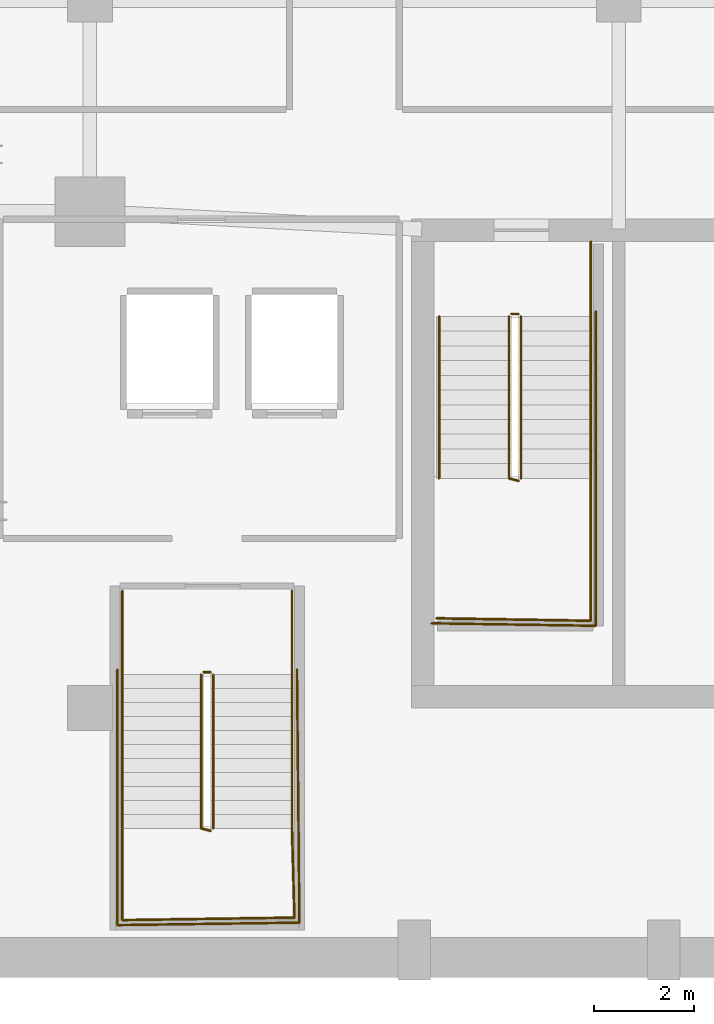
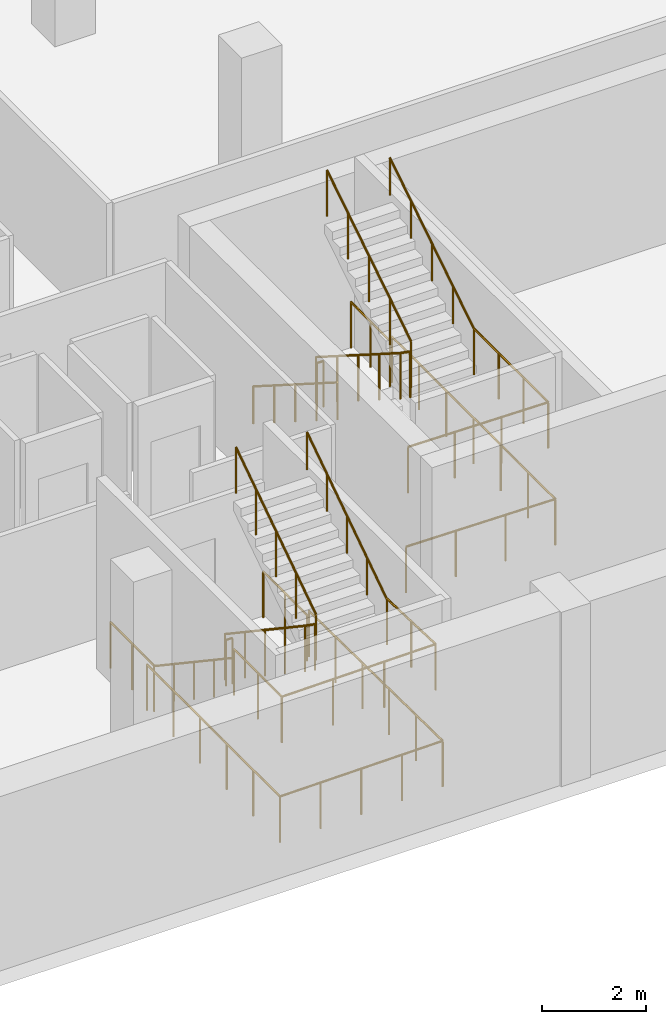
# One storey, part 13 of 18: 17 railings.
"""IFC4 building model written with IfcOpenShell, lengths in metres."""

from ifc_helpers import new_model, si_unit, direction, frame, origin, origin_2d, place, context, subcontext, project, spatial, circle, extrude, material, layer, layer_set, type_object, element, save


model = new_model("IFC4")

# Units and contexts
model_context = context("Model", 3, precision=1e-05, world=origin(), true_north=direction((0.0, 1.0)))
body_context = subcontext(model_context, "Body", "Model", "MODEL_VIEW")
ifc_project = project(units=[si_unit("LENGTHUNIT", "METRE"), si_unit("AREAUNIT", "SQUARE_METRE"), si_unit("VOLUMEUNIT", "CUBIC_METRE"), si_unit("PLANEANGLEUNIT", "RADIAN"), si_unit("MASSUNIT", "GRAM", prefix="KILO")], contexts=[model_context])

# Site, building, storey
site_placement = place(None, origin())
site = spatial("IfcSite", under=ifc_project, at=site_placement, CompositionType="ELEMENT")
building_placement = place(site_placement, origin())
building = spatial("IfcBuilding", under=site, at=building_placement, Name="Ndaravel Arena Tower", CompositionType="ELEMENT")
storey_placement = place(building_placement, frame((0.0, 0.0, -4.5)))
storey = spatial("IfcBuildingStorey", under=building, at=storey_placement, Name="B01", CompositionType="ELEMENT", Elevation=-4.5)

# Railings
ifc_material_1 = material(Name="Steel S355", Category="steel")
ifc_layer_1 = layer(ifc_material_1, 0.06005859375)
ifc_layer_set_1 = layer_set([ifc_layer_1], Name="Steel S355")
railing_type_1 = type_object("IfcRailingType", Name="RAIL-STAIR-GD1100", PredefinedType="GUARDRAIL", material=ifc_layer_set_1)
railing_1_placement = place(storey_placement, frame((28.39990234375, 13.25, 0.1875)))
element("IfcRailing", 1, at=railing_1_placement, inside=storey, type_object=railing_type_1, Name="B01 ST-1 stair guard 1", PredefinedType="GUARDRAIL", context=body_context, shape_type="SweptSolid", body=[
    extrude(circle(Radius=0.02392578125, at=origin_2d()), frame((0.0, 0.0, 1.076171875), z_axis=(0.0, -0.843964631203, 0.536398826693), x_axis=(1.0, 0.0, 0.0)), (0.0, 0.0, 1.0), 3.844970703125),
    extrude(circle(Radius=0.02392578125, at=origin_2d()), frame((0.0, -3.2451171875, 3.138671875), z_axis=(0.967379469692, -0.253331722487, 0.0), x_axis=(0.253331722487, 0.967379469692, 0.0)), (0.0, 0.0, 1.0), 0.196533203125),
    extrude(circle(Radius=0.02099609375, at=origin_2d()), origin(), (0.0, 0.0, 1.0), 1.052001953125),
    extrude(circle(Radius=0.02099609375, at=origin_2d()), frame((0.0, -0.811279296875, 0.515625)), (0.0, 0.0, 1.0), 1.052001953125),
    extrude(circle(Radius=0.02099609375, at=origin_2d()), frame((0.0, -1.62255859375, 1.03125)), (0.0, 0.0, 1.0), 1.052001953125),
    extrude(circle(Radius=0.02099609375, at=origin_2d()), frame((0.0, -2.433837890625, 1.546875)), (0.0, 0.0, 1.0), 1.052001953125),
    extrude(circle(Radius=0.02099609375, at=origin_2d()), frame((0.0, -3.2451171875, 2.0625)), (0.0, 0.0, 1.0), 1.052001953125),
    extrude(circle(Radius=0.02099609375, at=origin_2d()), frame((0.190185546875, -3.294921875, 2.0625)), (0.0, 0.0, 1.0), 1.052001953125),
])
railing_2_placement = place(storey_placement, frame((30.0400390625, 10.0048828125, 2.25)))
element("IfcRailing", 2, at=railing_2_placement, inside=storey, type_object=railing_type_1, Name="B01 ST-1 stair guard 2", PredefinedType="GUARDRAIL", context=body_context, shape_type="SweptSolid", body=[
    extrude(circle(Radius=0.02392578125, at=origin_2d()), frame((0.0, 0.0, 1.076171875), z_axis=(0.0, -1.0, 0.0), x_axis=(1.0, 0.0, 0.0)), (0.0, 0.0, 1.0), 2.85498046875),
    extrude(circle(Radius=0.02392578125, at=origin_2d()), frame((0.0, -2.85498046875, 1.076171875), z_axis=(-0.999868861343, 0.016194447071, 0.0), x_axis=(-0.016194447071, -0.999868861343, 0.0)), (0.0, 0.0, 1.0), 3.090576171875),
    extrude(circle(Radius=0.02099609375, at=origin_2d()), origin(), (0.0, 0.0, 1.0), 1.052001953125),
    extrude(circle(Radius=0.02099609375, at=origin_2d()), frame((0.0, -0.95166015625, 0.0)), (0.0, 0.0, 1.0), 1.052001953125),
    extrude(circle(Radius=0.02099609375, at=origin_2d()), frame((0.0, -1.9033203125, 0.0)), (0.0, 0.0, 1.0), 1.052001953125),
    extrude(circle(Radius=0.02099609375, at=origin_2d()), frame((0.0, -2.85498046875, 0.0)), (0.0, 0.0, 1.0), 1.052001953125),
    extrude(circle(Radius=0.02099609375, at=origin_2d()), frame((-1.030029296875, -2.83837890625, 0.0)), (0.0, 0.0, 1.0), 1.052001953125),
    extrude(circle(Radius=0.02099609375, at=origin_2d()), frame((-2.06005859375, -2.821533203125, 0.0)), (0.0, 0.0, 1.0), 1.052001953125),
    extrude(circle(Radius=0.02099609375, at=origin_2d()), frame((-3.090087890625, -2.804931640625, 0.0)), (0.0, 0.0, 1.0), 1.052001953125),
])
railing_3_placement = place(storey_placement, frame((28.639892578125, 10.0048828125, 2.4375)))
element("IfcRailing", 3, at=railing_3_placement, inside=storey, type_object=railing_type_1, Name="B01 ST-1 stair guard 3", PredefinedType="GUARDRAIL", context=body_context, shape_type="SweptSolid", body=[
    extrude(circle(Radius=0.02392578125, at=origin_2d()), frame((0.0, 0.0, 1.076171875), z_axis=(0.0, 0.843964631203, 0.536398826693), x_axis=(-1.0, 0.0, 0.0)), (0.0, 0.0, 1.0), 3.844970703125),
    extrude(circle(Radius=0.02099609375, at=origin_2d()), origin(), (0.0, 0.0, 1.0), 1.052001953125),
    extrude(circle(Radius=0.02099609375, at=origin_2d()), frame((0.0, 0.811279296875, 0.515625)), (0.0, 0.0, 1.0), 1.052001953125),
    extrude(circle(Radius=0.02099609375, at=origin_2d()), frame((0.0, 1.62255859375, 1.03125)), (0.0, 0.0, 1.0), 1.052001953125),
    extrude(circle(Radius=0.02099609375, at=origin_2d()), frame((0.0, 2.433837890625, 1.546875)), (0.0, 0.0, 1.0), 1.052001953125),
    extrude(circle(Radius=0.02099609375, at=origin_2d()), frame((0.0, 3.2451171875, 2.0625)), (0.0, 0.0, 1.0), 1.052001953125),
])
railing_4_placement = place(storey_placement, frame((28.449951171875, 13.300048828125, 0.0)))
element("IfcRailing", 4, at=railing_4_placement, inside=storey, type_object=railing_type_1, Name="B01 ST-1 stair guard 4", PredefinedType="GUARDRAIL", context=body_context, shape_type="SweptSolid", body=[
    extrude(circle(Radius=0.02392578125, at=origin_2d()), frame((0.0, 0.0, 1.076171875), z_axis=(1.0, 0.0, 0.0), x_axis=(0.0, 1.0, 0.0)), (0.0, 0.0, 1.0), 0.14013671875),
    extrude(circle(Radius=0.02099609375, at=origin_2d()), origin(), (0.0, 0.0, 1.0), 1.052001953125),
    extrude(circle(Radius=0.02099609375, at=origin_2d()), frame((0.14013671875, 0.0, 0.0)), (0.0, 0.0, 1.0), 1.052001953125),
])
railing_5_placement = place(storey_placement, frame((30.0400390625, 14.75, 0.0)))
element("IfcRailing", 5, at=railing_5_placement, inside=storey, type_object=railing_type_1, Name="B01 ST-1 stair guard 5", PredefinedType="GUARDRAIL", context=body_context, shape_type="SweptSolid", body=[
    extrude(circle(Radius=0.02392578125, at=origin_2d()), frame((0.0, 0.0, 1.076171875), z_axis=(0.0, -1.0, 0.0), x_axis=(1.0, 0.0, 0.0)), (0.0, 0.0, 1.0), 1.5),
    extrude(circle(Radius=0.02099609375, at=origin_2d()), origin(), (0.0, 0.0, 1.0), 1.052001953125),
    extrude(circle(Radius=0.02099609375, at=origin_2d()), frame((0.0, -0.75, 0.0)), (0.0, 0.0, 1.0), 1.052001953125),
    extrude(circle(Radius=0.02099609375, at=origin_2d()), frame((0.0, -1.5, 0.0)), (0.0, 0.0, 1.0), 1.052001953125),
])
railing_6_placement = place(storey_placement, frame((30.139892578125, 13.35009765625, 0.0)))
element("IfcRailing", 6, at=railing_6_placement, inside=storey, type_object=railing_type_1, Name="B01 ST-1 stair guard 6", PredefinedType="GUARDRAIL", context=body_context, shape_type="SweptSolid", body=[
    extrude(circle(Radius=0.02392578125, at=origin_2d()), frame((0.0, 0.0, 1.076171875), z_axis=(0.0, -1.0, 0.0), x_axis=(1.0, 0.0, 0.0)), (0.0, 0.0, 1.0), 6.300048828125),
    extrude(circle(Radius=0.02392578125, at=origin_2d()), frame((0.0, -6.300048828125, 1.076171875), z_axis=(-0.999884296952, 0.015211597839, 0.0), x_axis=(-0.015211597839, -0.999884296952, 0.0)), (0.0, 0.0, 1.0), 3.290283203125),
    extrude(circle(Radius=0.02099609375, at=origin_2d()), origin(), (0.0, 0.0, 1.0), 1.052001953125),
    extrude(circle(Radius=0.02099609375, at=origin_2d()), frame((0.0, -1.050048828125, 0.0)), (0.0, 0.0, 1.0), 1.052001953125),
    extrude(circle(Radius=0.02099609375, at=origin_2d()), frame((0.0, -2.10009765625, 0.0)), (0.0, 0.0, 1.0), 1.052001953125),
    extrude(circle(Radius=0.02099609375, at=origin_2d()), frame((0.0, -3.14990234375, 0.0)), (0.0, 0.0, 1.0), 1.052001953125),
    extrude(circle(Radius=0.02099609375, at=origin_2d()), frame((0.0, -4.199951171875, 0.0)), (0.0, 0.0, 1.0), 1.052001953125),
    extrude(circle(Radius=0.02099609375, at=origin_2d()), frame((0.0, -5.25, 0.0)), (0.0, 0.0, 1.0), 1.052001953125),
    extrude(circle(Radius=0.02099609375, at=origin_2d()), frame((0.0, -6.300048828125, 0.0)), (0.0, 0.0, 1.0), 1.052001953125),
    extrude(circle(Radius=0.02099609375, at=origin_2d()), frame((-1.0966796875, -6.283447265625, 0.0)), (0.0, 0.0, 1.0), 1.052001953125),
    extrude(circle(Radius=0.02099609375, at=origin_2d()), frame((-2.193115234375, -6.2666015625, 0.0)), (0.0, 0.0, 1.0), 1.052001953125),
    extrude(circle(Radius=0.02099609375, at=origin_2d()), frame((-3.289794921875, -6.25, 0.0)), (0.0, 0.0, 1.0), 1.052001953125),
])
railing_7_placement = place(storey_placement, frame((22.22998046875, 6.070068359375, 0.1875)))
element("IfcRailing", 7, at=railing_7_placement, inside=storey, type_object=railing_type_1, Name="B01 ST-B1 stair guard 1", PredefinedType="GUARDRAIL", context=body_context, shape_type="SweptSolid", body=[
    extrude(circle(Radius=0.02392578125, at=origin_2d()), frame((0.0, 0.0, 1.076171875), z_axis=(0.0, -0.830913701846, 0.55640131208), x_axis=(1.0, 0.0, 0.0)), (0.0, 0.0, 1.0), 3.706787109375),
    extrude(circle(Radius=0.02392578125, at=origin_2d()), frame((0.0, -3.080078125, 3.138671875), z_axis=(0.966993988697, -0.254799187253, 0.0), x_axis=(0.254799187253, 0.966993988697, 0.0)), (0.0, 0.0, 1.0), 0.196533203125),
    extrude(circle(Radius=0.02099609375, at=origin_2d()), origin(), (0.0, 0.0, 1.0), 1.052001953125),
    extrude(circle(Radius=0.02099609375, at=origin_2d()), frame((0.0, -0.77001953125, 0.515625)), (0.0, 0.0, 1.0), 1.052001953125),
    extrude(circle(Radius=0.02099609375, at=origin_2d()), frame((0.0, -1.5400390625, 1.03125)), (0.0, 0.0, 1.0), 1.052001953125),
    extrude(circle(Radius=0.02099609375, at=origin_2d()), frame((0.0, -2.31005859375, 1.546875)), (0.0, 0.0, 1.0), 1.052001953125),
    extrude(circle(Radius=0.02099609375, at=origin_2d()), frame((0.0, -3.080078125, 2.0625)), (0.0, 0.0, 1.0), 1.052001953125),
    extrude(circle(Radius=0.02099609375, at=origin_2d()), frame((0.18994140625, -3.130126953125, 2.0625)), (0.0, 0.0, 1.0), 1.052001953125),
])
railing_8_placement = place(storey_placement, frame((20.64990234375, 2.989990234375, 2.25)))
element("IfcRailing", 8, at=railing_8_placement, inside=storey, type_object=railing_type_1, Name="B01 ST-B1 stair guard 2", PredefinedType="GUARDRAIL", context=body_context, shape_type="SweptSolid", body=[
    extrude(circle(Radius=0.02392578125, at=origin_2d()), frame((0.0, 0.0, 1.076171875), z_axis=(0.0, -1.0, 0.0), x_axis=(1.0, 0.0, 0.0)), (0.0, 0.0, 1.0), 1.840087890625),
    extrude(circle(Radius=0.02392578125, at=origin_2d()), frame((0.0, -1.840087890625, 1.076171875), z_axis=(0.999894803344, 0.014504559488, 0.0), x_axis=(-0.014504559488, 0.999894803344, 0.0)), (0.0, 0.0, 1.0), 3.450439453125),
    extrude(circle(Radius=0.02392578125, at=origin_2d()), frame((3.4501953125, -1.7900390625, 1.076171875), z_axis=(-0.027948706835, 0.999609358593, 0.0), x_axis=(-0.999609358593, -0.027948706835, 0.0)), (0.0, 0.0, 1.0), 1.790771484375),
    extrude(circle(Radius=0.02099609375, at=origin_2d()), origin(), (0.0, 0.0, 1.0), 1.052001953125),
    extrude(circle(Radius=0.02099609375, at=origin_2d()), frame((0.0, -0.919921875, 0.0)), (0.0, 0.0, 1.0), 1.052001953125),
    extrude(circle(Radius=0.02099609375, at=origin_2d()), frame((0.0, -1.840087890625, 0.0)), (0.0, 0.0, 1.0), 1.052001953125),
    extrude(circle(Radius=0.02099609375, at=origin_2d()), frame((1.150146484375, -1.823486328125, 0.0)), (0.0, 0.0, 1.0), 1.052001953125),
    extrude(circle(Radius=0.02099609375, at=origin_2d()), frame((2.300048828125, -1.806640625, 0.0)), (0.0, 0.0, 1.0), 1.052001953125),
    extrude(circle(Radius=0.02099609375, at=origin_2d()), frame((3.4501953125, -1.7900390625, 0.0)), (0.0, 0.0, 1.0), 1.052001953125),
    extrude(circle(Radius=0.02099609375, at=origin_2d()), frame((3.42529296875, -0.89501953125, 0.0)), (0.0, 0.0, 1.0), 1.052001953125),
    extrude(circle(Radius=0.02099609375, at=origin_2d()), frame((3.400146484375, 0.0, 0.0)), (0.0, 0.0, 1.0), 1.052001953125),
])
railing_9_placement = place(storey_placement, frame((22.469970703125, 2.989990234375, 2.4375)))
element("IfcRailing", 9, at=railing_9_placement, inside=storey, type_object=railing_type_1, Name="B01 ST-B1 stair guard 3", PredefinedType="GUARDRAIL", context=body_context, shape_type="SweptSolid", body=[
    extrude(circle(Radius=0.02392578125, at=origin_2d()), frame((0.0, 0.0, 1.076171875), z_axis=(0.0, 0.830913701846, 0.55640131208), x_axis=(-1.0, 0.0, 0.0)), (0.0, 0.0, 1.0), 3.706787109375),
    extrude(circle(Radius=0.02099609375, at=origin_2d()), origin(), (0.0, 0.0, 1.0), 1.052001953125),
    extrude(circle(Radius=0.02099609375, at=origin_2d()), frame((0.0, 0.77001953125, 0.515625)), (0.0, 0.0, 1.0), 1.052001953125),
    extrude(circle(Radius=0.02099609375, at=origin_2d()), frame((0.0, 1.5400390625, 1.03125)), (0.0, 0.0, 1.0), 1.052001953125),
    extrude(circle(Radius=0.02099609375, at=origin_2d()), frame((0.0, 2.31005859375, 1.546875)), (0.0, 0.0, 1.0), 1.052001953125),
    extrude(circle(Radius=0.02099609375, at=origin_2d()), frame((0.0, 3.080078125, 2.0625)), (0.0, 0.0, 1.0), 1.052001953125),
])
railing_10_placement = place(storey_placement, frame((22.280029296875, 6.1201171875, 0.0)))
element("IfcRailing", 10, at=railing_10_placement, inside=storey, type_object=railing_type_1, Name="B01 ST-B1 stair guard 4", PredefinedType="GUARDRAIL", context=body_context, shape_type="SweptSolid", body=[
    extrude(circle(Radius=0.02392578125, at=origin_2d()), frame((0.0, 0.0, 1.076171875), z_axis=(1.0, 0.0, 0.0), x_axis=(0.0, 1.0, 0.0)), (0.0, 0.0, 1.0), 0.139892578125),
    extrude(circle(Radius=0.02099609375, at=origin_2d()), origin(), (0.0, 0.0, 1.0), 1.052001953125),
    extrude(circle(Radius=0.02099609375, at=origin_2d()), frame((0.139892578125, 0.0, 0.0)), (0.0, 0.0, 1.0), 1.052001953125),
])
for number, where, name in (
    (11, (20.64990234375, 7.75, 0.0), "B01 ST-B1 stair guard 5"),
    (12, (24.050048828125, 7.75, 0.0), "B01 ST-B1 stair guard 6"),
):
    element("IfcRailing", number, at=place(storey_placement, frame(where)), inside=storey, type_object=railing_type_1, Name=name, PredefinedType="GUARDRAIL", context=body_context, shape_type="SweptSolid", body=[
        extrude(circle(Radius=0.02392578125, at=origin_2d()), frame((0.0, 0.0, 1.076171875), z_axis=(0.0, -1.0, 0.0), x_axis=(1.0, 0.0, 0.0)), (0.0, 0.0, 1.0), 1.679931640625),
        extrude(circle(Radius=0.02099609375, at=origin_2d()), origin(), (0.0, 0.0, 1.0), 1.052001953125),
        extrude(circle(Radius=0.02099609375, at=origin_2d()), frame((0.0, -0.83984375, 0.0)), (0.0, 0.0, 1.0), 1.052001953125),
        extrude(circle(Radius=0.02099609375, at=origin_2d()), frame((0.0, -1.679931640625, 0.0)), (0.0, 0.0, 1.0), 1.052001953125),
    ])
railing_11_placement = place(storey_placement, frame((20.550048828125, 6.169921875, 0.0)))
element("IfcRailing", 13, at=railing_11_placement, inside=storey, type_object=railing_type_1, Name="B01 ST-B1 stair guard 7", PredefinedType="GUARDRAIL", context=body_context, shape_type="SweptSolid", body=[
    extrude(circle(Radius=0.02392578125, at=origin_2d()), frame((0.0, 0.0, 1.076171875), z_axis=(0.0, -1.0, 0.0), x_axis=(1.0, 0.0, 0.0)), (0.0, 0.0, 1.0), 5.119873046875),
    extrude(circle(Radius=0.02392578125, at=origin_2d()), frame((0.0, -5.119873046875, 1.076171875), z_axis=(0.999905998648, 0.0137110856, 0.0), x_axis=(-0.0137110856, 0.999905998648, 0.0)), (0.0, 0.0, 1.0), 3.650146484375),
    extrude(circle(Radius=0.02392578125, at=origin_2d()), frame((3.64990234375, -5.06982421875, 1.076171875), z_axis=(-0.009871425004, 0.999951276297, 0.0), x_axis=(-0.999951276297, -0.009871425004, 0.0)), (0.0, 0.0, 1.0), 5.070068359375),
    extrude(circle(Radius=0.02099609375, at=origin_2d()), origin(), (0.0, 0.0, 1.0), 1.052001953125),
    extrude(circle(Radius=0.02099609375, at=origin_2d()), frame((0.0, -1.02392578125, 0.0)), (0.0, 0.0, 1.0), 1.052001953125),
    extrude(circle(Radius=0.02099609375, at=origin_2d()), frame((0.0, -2.0478515625, 0.0)), (0.0, 0.0, 1.0), 1.052001953125),
    extrude(circle(Radius=0.02099609375, at=origin_2d()), frame((0.0, -3.072021484375, 0.0)), (0.0, 0.0, 1.0), 1.052001953125),
    extrude(circle(Radius=0.02099609375, at=origin_2d()), frame((0.0, -4.095947265625, 0.0)), (0.0, 0.0, 1.0), 1.052001953125),
    extrude(circle(Radius=0.02099609375, at=origin_2d()), frame((0.0, -5.119873046875, 0.0)), (0.0, 0.0, 1.0), 1.052001953125),
    extrude(circle(Radius=0.02099609375, at=origin_2d()), frame((0.91259765625, -5.107421875, 0.0)), (0.0, 0.0, 1.0), 1.052001953125),
    extrude(circle(Radius=0.02099609375, at=origin_2d()), frame((1.824951171875, -5.0947265625, 0.0)), (0.0, 0.0, 1.0), 1.052001953125),
    extrude(circle(Radius=0.02099609375, at=origin_2d()), frame((2.7373046875, -5.082275390625, 0.0)), (0.0, 0.0, 1.0), 1.052001953125),
    extrude(circle(Radius=0.02099609375, at=origin_2d()), frame((3.64990234375, -5.06982421875, 0.0)), (0.0, 0.0, 1.0), 1.052001953125),
    extrude(circle(Radius=0.02099609375, at=origin_2d()), frame((3.639892578125, -4.055908203125, 0.0)), (0.0, 0.0, 1.0), 1.052001953125),
    extrude(circle(Radius=0.02099609375, at=origin_2d()), frame((3.6298828125, -3.0419921875, 0.0)), (0.0, 0.0, 1.0), 1.052001953125),
    extrude(circle(Radius=0.02099609375, at=origin_2d()), frame((3.619873046875, -2.02783203125, 0.0)), (0.0, 0.0, 1.0), 1.052001953125),
    extrude(circle(Radius=0.02099609375, at=origin_2d()), frame((3.60986328125, -1.013916015625, 0.0)), (0.0, 0.0, 1.0), 1.052001953125),
    extrude(circle(Radius=0.02099609375, at=origin_2d()), frame((3.599853515625, 0.0, 0.0)), (0.0, 0.0, 1.0), 1.052001953125),
])
ifc_material_2 = material(Name="Steel S355", Category="steel")
ifc_layer_2 = layer(ifc_material_2, 0.050048828125)
ifc_layer_set_2 = layer_set([ifc_layer_2], Name="Steel S355")
railing_type_2 = type_object("IfcRailingType", Name="RAIL-STAIR-HR920", PredefinedType="HANDRAIL", material=ifc_layer_set_2)
railing_12_placement = place(storey_placement, frame((27.0, 13.25, 0.1875)))
element("IfcRailing", 14, at=railing_12_placement, inside=storey, type_object=railing_type_2, Name="B01 ST-1 stair handrail 1", PredefinedType="HANDRAIL", context=body_context, shape_type="SweptSolid", body=[
    extrude(circle(Radius=0.02392578125, at=origin_2d()), frame((0.0, 0.0, 0.8759765625), z_axis=(0.0, -0.843964631203, 0.536398826693), x_axis=(1.0, 0.0, 0.0)), (0.0, 0.0, 1.0), 3.844970703125),
    extrude(circle(Radius=0.02099609375, at=origin_2d()), origin(), (0.0, 0.0, 1.0), 0.851806640625),
    extrude(circle(Radius=0.02099609375, at=origin_2d()), frame((0.0, -0.811279296875, 0.515625)), (0.0, 0.0, 1.0), 0.851806640625),
    extrude(circle(Radius=0.02099609375, at=origin_2d()), frame((0.0, -1.62255859375, 1.03125)), (0.0, 0.0, 1.0), 0.851806640625),
    extrude(circle(Radius=0.02099609375, at=origin_2d()), frame((0.0, -2.433837890625, 1.546875)), (0.0, 0.0, 1.0), 0.851806640625),
    extrude(circle(Radius=0.02099609375, at=origin_2d()), frame((0.0, -3.2451171875, 2.0625)), (0.0, 0.0, 1.0), 0.851806640625),
])
railing_13_placement = place(storey_placement, frame((30.0400390625, 10.0048828125, 2.4375)))
element("IfcRailing", 15, at=railing_13_placement, inside=storey, type_object=railing_type_2, Name="B01 ST-1 stair handrail 2", PredefinedType="HANDRAIL", context=body_context, shape_type="SweptSolid", body=[
    extrude(circle(Radius=0.02392578125, at=origin_2d()), frame((0.0, 0.0, 0.8759765625), z_axis=(0.0, 0.843964631203, 0.536398826693), x_axis=(-1.0, 0.0, 0.0)), (0.0, 0.0, 1.0), 3.844970703125),
    extrude(circle(Radius=0.02099609375, at=origin_2d()), origin(), (0.0, 0.0, 1.0), 0.851806640625),
    extrude(circle(Radius=0.02099609375, at=origin_2d()), frame((0.0, 0.811279296875, 0.515625)), (0.0, 0.0, 1.0), 0.851806640625),
    extrude(circle(Radius=0.02099609375, at=origin_2d()), frame((0.0, 1.62255859375, 1.03125)), (0.0, 0.0, 1.0), 0.851806640625),
    extrude(circle(Radius=0.02099609375, at=origin_2d()), frame((0.0, 2.433837890625, 1.546875)), (0.0, 0.0, 1.0), 0.851806640625),
    extrude(circle(Radius=0.02099609375, at=origin_2d()), frame((0.0, 3.2451171875, 2.0625)), (0.0, 0.0, 1.0), 0.851806640625),
])
railing_14_placement = place(storey_placement, frame((20.64990234375, 6.070068359375, 0.1875)))
element("IfcRailing", 16, at=railing_14_placement, inside=storey, type_object=railing_type_2, Name="B01 ST-B1 stair handrail 1", PredefinedType="HANDRAIL", context=body_context, shape_type="SweptSolid", body=[
    extrude(circle(Radius=0.02392578125, at=origin_2d()), frame((0.0, 0.0, 0.8759765625), z_axis=(0.0, -0.830913701846, 0.55640131208), x_axis=(1.0, 0.0, 0.0)), (0.0, 0.0, 1.0), 3.706787109375),
    extrude(circle(Radius=0.02099609375, at=origin_2d()), origin(), (0.0, 0.0, 1.0), 0.851806640625),
    extrude(circle(Radius=0.02099609375, at=origin_2d()), frame((0.0, -0.77001953125, 0.515625)), (0.0, 0.0, 1.0), 0.851806640625),
    extrude(circle(Radius=0.02099609375, at=origin_2d()), frame((0.0, -1.5400390625, 1.03125)), (0.0, 0.0, 1.0), 0.851806640625),
    extrude(circle(Radius=0.02099609375, at=origin_2d()), frame((0.0, -2.31005859375, 1.546875)), (0.0, 0.0, 1.0), 0.851806640625),
    extrude(circle(Radius=0.02099609375, at=origin_2d()), frame((0.0, -3.080078125, 2.0625)), (0.0, 0.0, 1.0), 0.851806640625),
])
railing_15_placement = place(storey_placement, frame((24.050048828125, 2.989990234375, 2.4375)))
element("IfcRailing", 17, at=railing_15_placement, inside=storey, type_object=railing_type_2, Name="B01 ST-B1 stair handrail 2", PredefinedType="HANDRAIL", context=body_context, shape_type="SweptSolid", body=[
    extrude(circle(Radius=0.02392578125, at=origin_2d()), frame((0.0, 0.0, 0.8759765625), z_axis=(0.0, 0.830913701846, 0.55640131208), x_axis=(-1.0, 0.0, 0.0)), (0.0, 0.0, 1.0), 3.706787109375),
    extrude(circle(Radius=0.02099609375, at=origin_2d()), origin(), (0.0, 0.0, 1.0), 0.851806640625),
    extrude(circle(Radius=0.02099609375, at=origin_2d()), frame((0.0, 0.77001953125, 0.515625)), (0.0, 0.0, 1.0), 0.851806640625),
    extrude(circle(Radius=0.02099609375, at=origin_2d()), frame((0.0, 1.5400390625, 1.03125)), (0.0, 0.0, 1.0), 0.851806640625),
    extrude(circle(Radius=0.02099609375, at=origin_2d()), frame((0.0, 2.31005859375, 1.546875)), (0.0, 0.0, 1.0), 0.851806640625),
    extrude(circle(Radius=0.02099609375, at=origin_2d()), frame((0.0, 3.080078125, 2.0625)), (0.0, 0.0, 1.0), 0.851806640625),
])

save(model, "model.ifc")
